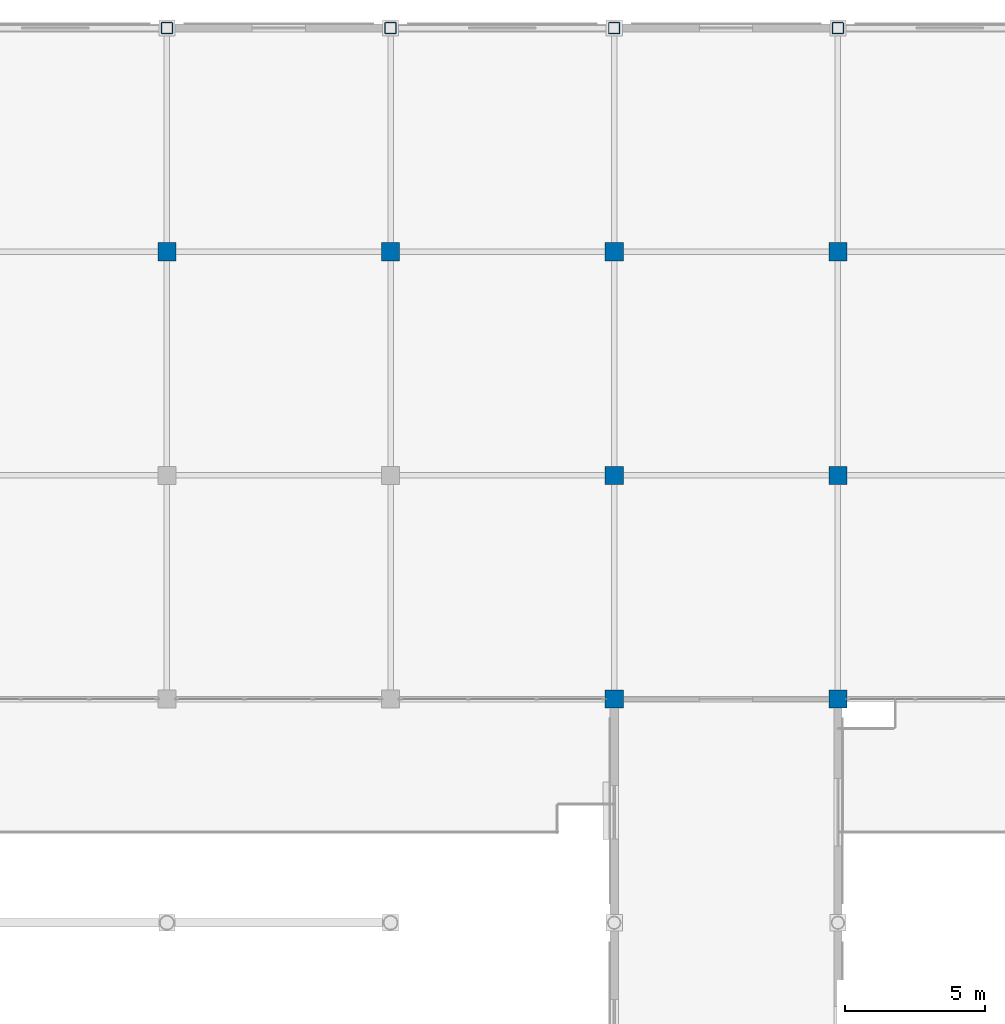
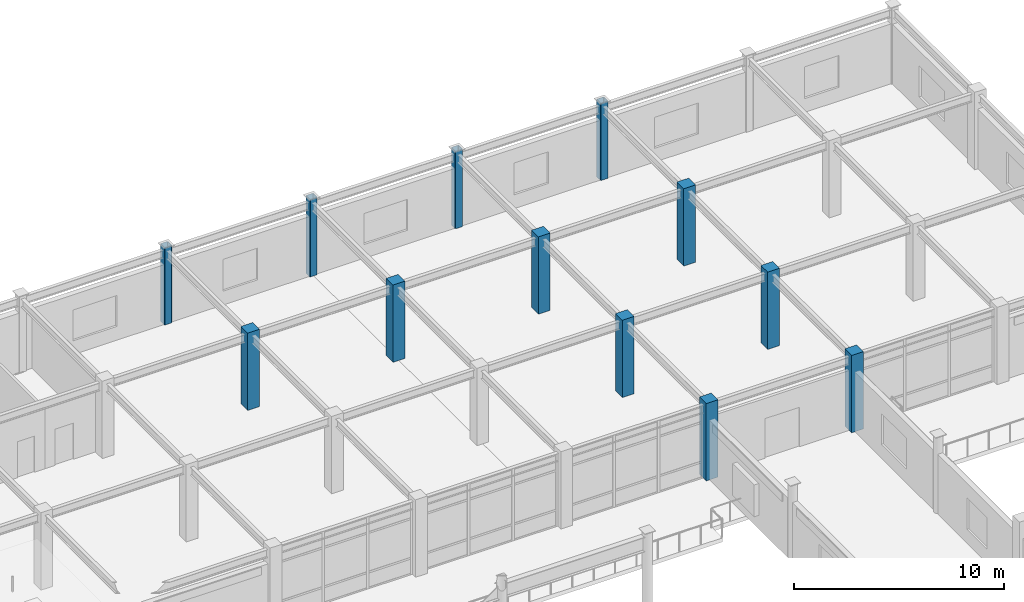
# One storey, part 10 of 78: 12 columns.
"""IFC4 building model written with IfcOpenShell, lengths in metres."""

from ifc_helpers import new_model, si_unit, direction, frame, origin, origin_2d, place, context, subcontext, project, spatial, rectangle, hollow_rectangle, extrude, material, material_profile, profile_set, type_object, element, save


model = new_model("IFC4")

# Units and contexts
model_context = context("Model", 3, precision=1e-05, world=origin(), true_north=direction((0.0, 1.0)))
body_context = subcontext(model_context, "Body", "Model", "MODEL_VIEW")
ifc_project = project(units=[si_unit("LENGTHUNIT", "METRE"), si_unit("AREAUNIT", "SQUARE_METRE"), si_unit("VOLUMEUNIT", "CUBIC_METRE"), si_unit("PLANEANGLEUNIT", "RADIAN"), si_unit("MASSUNIT", "GRAM", prefix="KILO")], contexts=[model_context])

# Site, building, storey
site_placement = place(None, origin())
site = spatial("IfcSite", under=ifc_project, at=site_placement, CompositionType="ELEMENT")
building_placement = place(site_placement, origin())
building = spatial("IfcBuilding", under=site, at=building_placement, Name="Solmirada Galleria", CompositionType="ELEMENT")
storey_placement = place(building_placement, frame((0.0, 0.0, 23.89990234375)))
storey = spatial("IfcBuildingStorey", under=building, at=storey_placement, Name="L05", CompositionType="ELEMENT", Elevation=23.89990234375)

# Columns
ifc_material_1 = material(Name="Steel S355 / ASTM A500 Grade C", Category="steel")
ifc_material_profile_1 = material_profile(ifc_material_1, hollow_rectangle(XDim=0.406005859375, YDim=0.406005859375, WallThickness=0.0146484375, InnerFilletRadius=0.0146484375, OuterFilletRadius=0.029296875, at=origin_2d()), Name="HSS16X16X5/8")
ifc_profile_set_1 = profile_set([ifc_material_profile_1], Name="Steel S355 / ASTM A500 Grade C")
column_type_1 = type_object("IfcColumnType", Name="COL-HSS16", PredefinedType="COLUMN", material=ifc_profile_set_1)
for number, where, z_axis, x_axis, name in (
    (1, (72.0, 120.0, 0.0), (0.0, 0.0, 1.0), (1.0, 0.0, 0.0), "Structural column L05-0344"),
    (2, (80.0, 120.0, 0.0), (0.0, 0.0, 1.0), (1.0, 0.0, 0.0), "Structural column L05-0461"),
    (3, (88.0, 120.0, 0.0), (0.0, 0.0, 1.0), (1.0, 0.0, 0.0), "Structural column L05-0583"),
    (4, (96.0, 120.0, 0.0), (0.0, 0.0, 1.0), (1.0, 0.0, 0.0), "Structural column L05-0691"),
):
    element("IfcColumn", number, at=place(storey_placement, frame(where, z_axis=z_axis, x_axis=x_axis)), inside=storey, type_object=column_type_1, Name=name, PredefinedType="COLUMN", context=body_context, shape_type="SweptSolid", body=[
        extrude(hollow_rectangle(XDim=0.406005859375, YDim=0.406005859375, WallThickness=0.0146484375, InnerFilletRadius=0.0146484375, OuterFilletRadius=0.029296875, at=origin_2d()), origin(), (0.0, 0.0, 1.0), 4.5),
    ])
ifc_material_2 = material(Name="Concrete C40/50", Category="concrete")
ifc_material_profile_2 = material_profile(ifc_material_2, rectangle(XDim=0.64990234375, YDim=0.64990234375, at=origin_2d()), Name="RC650X650")
ifc_profile_set_2 = profile_set([ifc_material_profile_2], Name="Concrete C40/50")
column_type_2 = type_object("IfcColumnType", Name="COL-RC650", PredefinedType="COLUMN", material=ifc_profile_set_2)
for number, where, z_axis, x_axis, name in (
    (5, (72.0, 112.0, 0.0), (0.0, 0.0, 1.0), (1.0, 0.0, 0.0), "Structural column L05-0337"),
    (6, (80.0, 112.0, 0.0), (0.0, 0.0, 1.0), (1.0, 0.0, 0.0), "Structural column L05-0454"),
    (7, (88.0, 96.0, 0.0), (0.0, 0.0, 1.0), (1.0, 0.0, 0.0), "Structural column L05-0562"),
    (8, (88.0, 104.0, 0.0), (0.0, 0.0, 1.0), (1.0, 0.0, 0.0), "Structural column L05-0569"),
    (9, (88.0, 112.0, 0.0), (0.0, 0.0, 1.0), (1.0, 0.0, 0.0), "Structural column L05-0576"),
    (10, (96.0, 96.0, 0.0), (0.0, 0.0, 1.0), (1.0, 0.0, 0.0), "Structural column L05-0670"),
    (11, (96.0, 104.0, 0.0), (0.0, 0.0, 1.0), (1.0, 0.0, 0.0), "Structural column L05-0677"),
    (12, (96.0, 112.0, 0.0), (0.0, 0.0, 1.0), (1.0, 0.0, 0.0), "Structural column L05-0684"),
):
    element("IfcColumn", number, at=place(storey_placement, frame(where, z_axis=z_axis, x_axis=x_axis)), inside=storey, type_object=column_type_2, Name=name, PredefinedType="COLUMN", context=body_context, shape_type="SweptSolid", body=[
        extrude(rectangle(XDim=0.64990234375, YDim=0.64990234375, at=origin_2d()), origin(), (0.0, 0.0, 1.0), 4.5),
    ])

save(model, "model.ifc")
